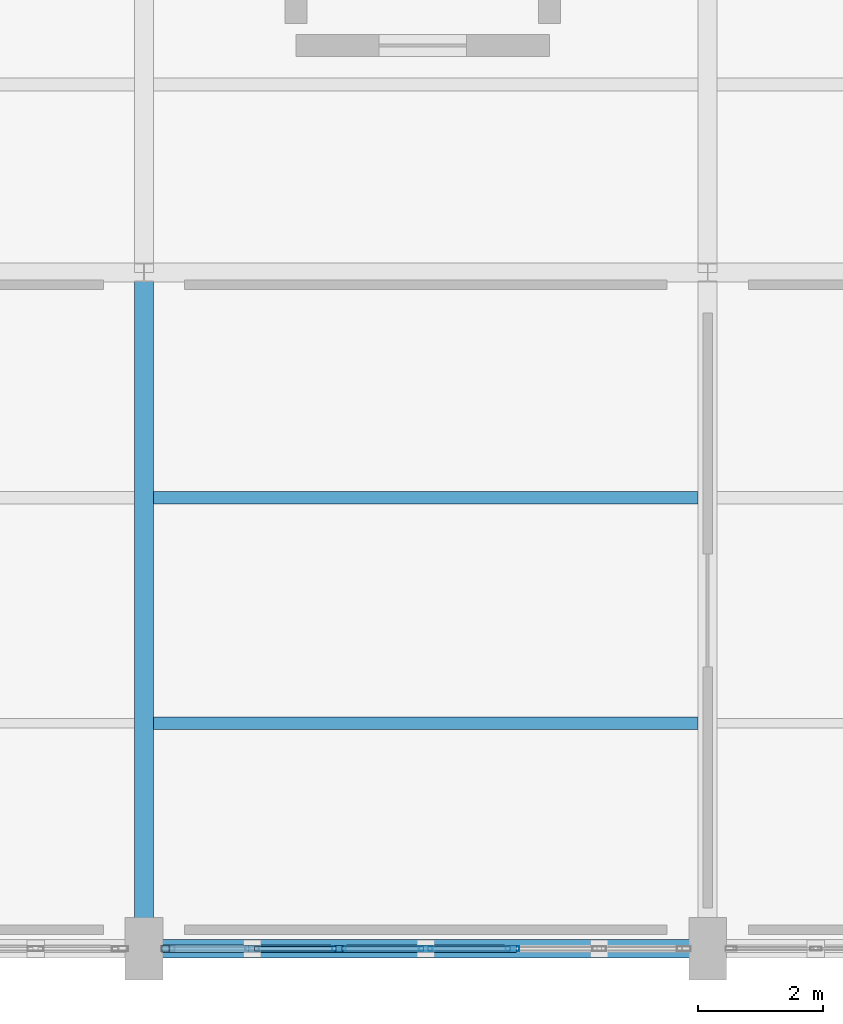
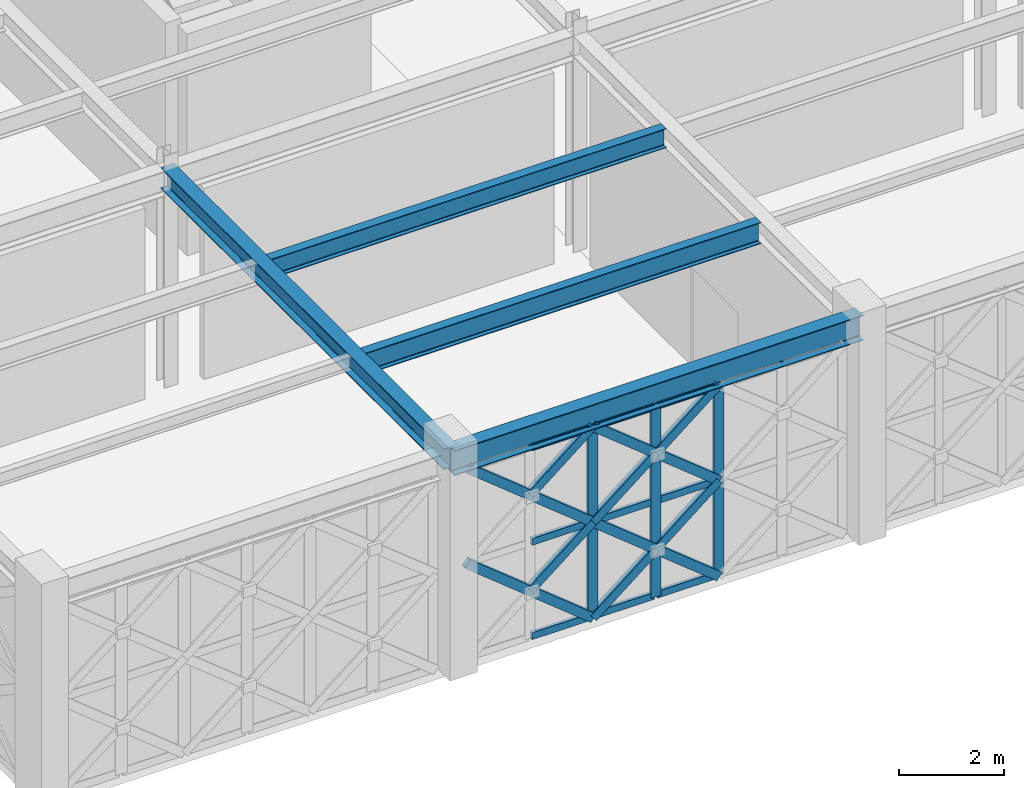
# One storey, part 34 of 155: 22 members, 4 beams, 1 element without a shape of its own.
"""IFC4 building model written with IfcOpenShell, lengths in metres."""

from ifc_helpers import new_model, si_unit, direction, frame, origin, origin_2d, place, context, subcontext, project, spatial, hollow_rectangle, i_section, extrude, material, material_profile, profile_set, type_object, element, aggregate, save


model = new_model("IFC4")

# Units and contexts
model_context = context("Model", 3, precision=1e-05, world=origin(), true_north=direction((0.0, 1.0)))
body_context = subcontext(model_context, "Body", "Model", "MODEL_VIEW")
ifc_project = project(units=[si_unit("LENGTHUNIT", "METRE"), si_unit("AREAUNIT", "SQUARE_METRE"), si_unit("VOLUMEUNIT", "CUBIC_METRE"), si_unit("PLANEANGLEUNIT", "RADIAN"), si_unit("MASSUNIT", "GRAM", prefix="KILO")], contexts=[model_context])

# Site, building, storey
site_placement = place(None, origin())
site = spatial("IfcSite", under=ifc_project, at=site_placement, CompositionType="ELEMENT")
building_placement = place(site_placement, origin())
building = spatial("IfcBuilding", under=site, at=building_placement, Name="Haizhuo Lancet Aquarium", CompositionType="ELEMENT")
storey_placement = place(building_placement, frame((0.0, 0.0, 10.800048828125)))
storey = spatial("IfcBuildingStorey", under=building, at=storey_placement, Name="L02", CompositionType="ELEMENT", Elevation=10.800048828125)

# Beams
ifc_material_1 = material(Name="Steel S355", Category="steel")
ifc_material_profile_1 = material_profile(ifc_material_1, i_section(OverallWidth=0.300048828125, OverallDepth=0.488037109375, WebThickness=0.010986328125, FlangeThickness=0.01806640625, FilletRadius=0.02392578125, at=origin_2d()), Name="HM 488x300x11x18")
ifc_profile_set_1 = profile_set([ifc_material_profile_1], Name="Steel S355")
beam_type_1 = type_object("IfcBeamType", Name="BM-ST-HM488", PredefinedType="BEAM", material=ifc_profile_set_1)
beam_1_placement = place(storey_placement, frame((-9.0, -55.800048828125, 4.805908203125), z_axis=(0.0, 1.0, 0.0), x_axis=(-1.0, 0.0, 0.0)))
element("IfcBeam", 1, at=beam_1_placement, inside=storey, type_object=beam_type_1, Name="L02 V4 primary girder BM-L02-V4-008", PredefinedType="BEAM", context=body_context, shape_type="SweptSolid", body=[
    extrude(i_section(OverallWidth=0.300048828125, OverallDepth=0.488037109375, WebThickness=0.010986328125, FlangeThickness=0.01806640625, FilletRadius=0.02392578125, at=origin_2d()), origin(), (0.0, 0.0, 1.0), 10.800048828125),
])
ifc_material_profile_2 = material_profile(ifc_material_1, i_section(OverallWidth=0.300048828125, OverallDepth=0.587890625, WebThickness=0.011962890625, FlangeThickness=0.02001953125, FilletRadius=0.02587890625, at=origin_2d()), Name="HM 588x300x12x20")
ifc_profile_set_2 = profile_set([ifc_material_profile_2], Name="Steel S355")
beam_type_2 = type_object("IfcBeamType", Name="BM-ST-HM588", PredefinedType="BEAM", material=ifc_profile_set_2)
beam_2_placement = place(storey_placement, frame((-9.0, -55.800048828125, 4.755859375), z_axis=(1.0, 0.0, 0.0), x_axis=(0.0, 1.0, 0.0)))
element("IfcBeam", 2, at=beam_2_placement, inside=storey, type_object=beam_type_2, Name="L02 V4 primary girder BM-L02-V4-009", PredefinedType="BEAM", context=body_context, shape_type="SweptSolid", body=[
    extrude(i_section(OverallWidth=0.300048828125, OverallDepth=0.587890625, WebThickness=0.011962890625, FlangeThickness=0.02001953125, FilletRadius=0.02587890625, at=origin_2d()), origin(), (0.0, 0.0, 1.0), 9.0),
])

# Curtain wall, members
ifc_material_2 = material(Name="Aluminium 6063-T6", Category="aluminium")
curtain_wall_type = type_object("IfcCurtainWallType", Name="CWO-8310x4460", PredefinedType="NOTDEFINED", material=ifc_material_2)
curtain_wall_placement = place(storey_placement, origin())
curtain_wall = element("IfcCurtainWall", 3, at=curtain_wall_placement, inside=storey, type_object=curtain_wall_type, Name="L02 curtain wall CW-V4-L02-110", PredefinedType="NOTDEFINED")
ifc_material_profile_3 = material_profile(ifc_material_2, hollow_rectangle(XDim=0.074951171875, YDim=0.219970703125, WallThickness=0.0048828125, at=origin_2d()), Name="ALU-M 75x220x5")
ifc_profile_set_3 = profile_set([ifc_material_profile_3], Name="Aluminium 6063-T6")
member_type_1 = type_object("IfcMemberType", Name="CW-MUL-2", PredefinedType="MULLION", material=ifc_profile_set_3)
member_1_placement = place(storey_placement, frame((-3.114990234375, -55.800048828125, 0.0), z_axis=(0.0, 0.0, 1.0), x_axis=(0.0, -1.0, 0.0)))
member_1 = element("IfcMember", 4, at=member_1_placement, type_object=member_type_1, Name="CWO-83x44 mullion 3", PredefinedType="MULLION", context=body_context, shape_type="SweptSolid", body=[
    extrude(hollow_rectangle(XDim=0.074951171875, YDim=0.219970703125, WallThickness=0.0048828125, at=origin_2d()), origin(), (0.0, 0.0, 1.0), 4.4619140625),
])
member_2_placement = place(storey_placement, frame((-4.5, -55.800048828125, 0.0), z_axis=(0.0, 0.0, 1.0), x_axis=(0.0, -1.0, 0.0)))
member_2 = element("IfcMember", 5, at=member_2_placement, type_object=member_type_1, Name="CWO-83x44 mullion 4", PredefinedType="MULLION", context=body_context, shape_type="SweptSolid", body=[
    extrude(hollow_rectangle(XDim=0.074951171875, YDim=0.219970703125, WallThickness=0.0048828125, at=origin_2d()), origin(), (0.0, 0.0, 1.0), 4.4619140625),
])
member_3_placement = place(storey_placement, frame((-5.885009765625, -55.800048828125, 0.0), z_axis=(0.0, 0.0, 1.0), x_axis=(0.0, -1.0, 0.0)))
member_3 = element("IfcMember", 6, at=member_3_placement, type_object=member_type_1, Name="CWO-83x44 mullion 5", PredefinedType="MULLION", context=body_context, shape_type="SweptSolid", body=[
    extrude(hollow_rectangle(XDim=0.074951171875, YDim=0.219970703125, WallThickness=0.0048828125, at=origin_2d()), origin(), (0.0, 0.0, 1.0), 4.4619140625),
])
ifc_material_profile_4 = material_profile(ifc_material_2, hollow_rectangle(XDim=0.074951171875, YDim=0.159912109375, WallThickness=0.00390625, at=origin_2d()), Name="ALU-T 75x160x4")
ifc_profile_set_4 = profile_set([ifc_material_profile_4], Name="Aluminium 6063-T6")
member_type_2 = type_object("IfcMemberType", Name="CW-TRN-2", PredefinedType="NOTDEFINED", material=ifc_profile_set_4)
member_4_placement = place(storey_placement, frame((-3.152099609375, -55.800048828125, 0.037841796875), z_axis=(-1.0, 0.0, 0.0), x_axis=(0.0, -1.0, 0.0)))
member_4 = element("IfcMember", 7, at=member_4_placement, type_object=member_type_2, Name="CWO-83x44 transom 3.1", ObjectType="TRANSOM", PredefinedType="USERDEFINED", context=body_context, shape_type="SweptSolid", body=[
    extrude(hollow_rectangle(XDim=0.074951171875, YDim=0.159912109375, WallThickness=0.00390625, at=origin_2d()), origin(), (0.0, 0.0, 1.0), 1.309814453125),
])
member_5_placement = place(storey_placement, frame((-3.152099609375, -55.800048828125, 2.23095703125), z_axis=(-1.0, 0.0, 0.0), x_axis=(0.0, -1.0, 0.0)))
member_5 = element("IfcMember", 8, at=member_5_placement, type_object=member_type_2, Name="CWO-83x44 transom 3.2", ObjectType="TRANSOM", PredefinedType="USERDEFINED", context=body_context, shape_type="SweptSolid", body=[
    extrude(hollow_rectangle(XDim=0.074951171875, YDim=0.159912109375, WallThickness=0.00390625, at=origin_2d()), origin(), (0.0, 0.0, 1.0), 1.309814453125),
])
member_6_placement = place(storey_placement, frame((-3.152099609375, -55.800048828125, 4.425048828125), z_axis=(-1.0, 0.0, 0.0), x_axis=(0.0, -1.0, 0.0)))
member_6 = element("IfcMember", 9, at=member_6_placement, type_object=member_type_2, Name="CWO-83x44 transom 3.3", ObjectType="TRANSOM", PredefinedType="USERDEFINED", context=body_context, shape_type="SweptSolid", body=[
    extrude(hollow_rectangle(XDim=0.074951171875, YDim=0.159912109375, WallThickness=0.00390625, at=origin_2d()), origin(), (0.0, 0.0, 1.0), 1.309814453125),
])
member_7_placement = place(storey_placement, frame((-4.537109375, -55.800048828125, 0.037841796875), z_axis=(-1.0, 0.0, 0.0), x_axis=(0.0, -1.0, 0.0)))
member_7 = element("IfcMember", 10, at=member_7_placement, type_object=member_type_2, Name="CWO-83x44 transom 4.1", ObjectType="TRANSOM", PredefinedType="USERDEFINED", context=body_context, shape_type="SweptSolid", body=[
    extrude(hollow_rectangle(XDim=0.074951171875, YDim=0.159912109375, WallThickness=0.00390625, at=origin_2d()), origin(), (0.0, 0.0, 1.0), 1.309814453125),
])
member_8_placement = place(storey_placement, frame((-4.537109375, -55.800048828125, 2.23095703125), z_axis=(-1.0, 0.0, 0.0), x_axis=(0.0, -1.0, 0.0)))
member_8 = element("IfcMember", 11, at=member_8_placement, type_object=member_type_2, Name="CWO-83x44 transom 4.2", ObjectType="TRANSOM", PredefinedType="USERDEFINED", context=body_context, shape_type="SweptSolid", body=[
    extrude(hollow_rectangle(XDim=0.074951171875, YDim=0.159912109375, WallThickness=0.00390625, at=origin_2d()), origin(), (0.0, 0.0, 1.0), 1.309814453125),
])
member_9_placement = place(storey_placement, frame((-4.537109375, -55.800048828125, 4.425048828125), z_axis=(-1.0, 0.0, 0.0), x_axis=(0.0, -1.0, 0.0)))
member_9 = element("IfcMember", 12, at=member_9_placement, type_object=member_type_2, Name="CWO-83x44 transom 4.3", ObjectType="TRANSOM", PredefinedType="USERDEFINED", context=body_context, shape_type="SweptSolid", body=[
    extrude(hollow_rectangle(XDim=0.074951171875, YDim=0.159912109375, WallThickness=0.00390625, at=origin_2d()), origin(), (0.0, 0.0, 1.0), 1.309814453125),
])
member_10_placement = place(storey_placement, frame((-5.922119140625, -55.800048828125, 0.037841796875), z_axis=(-1.0, 0.0, 0.0), x_axis=(0.0, -1.0, 0.0)))
member_10 = element("IfcMember", 13, at=member_10_placement, type_object=member_type_2, Name="CWO-83x44 transom 5.1", ObjectType="TRANSOM", PredefinedType="USERDEFINED", context=body_context, shape_type="SweptSolid", body=[
    extrude(hollow_rectangle(XDim=0.074951171875, YDim=0.159912109375, WallThickness=0.00390625, at=origin_2d()), origin(), (0.0, 0.0, 1.0), 1.309814453125),
])
member_11_placement = place(storey_placement, frame((-5.922119140625, -55.800048828125, 2.23095703125), z_axis=(-1.0, 0.0, 0.0), x_axis=(0.0, -1.0, 0.0)))
member_11 = element("IfcMember", 14, at=member_11_placement, type_object=member_type_2, Name="CWO-83x44 transom 5.2", ObjectType="TRANSOM", PredefinedType="USERDEFINED", context=body_context, shape_type="SweptSolid", body=[
    extrude(hollow_rectangle(XDim=0.074951171875, YDim=0.159912109375, WallThickness=0.00390625, at=origin_2d()), origin(), (0.0, 0.0, 1.0), 1.309814453125),
])
member_12_placement = place(storey_placement, frame((-5.922119140625, -55.800048828125, 4.425048828125), z_axis=(-1.0, 0.0, 0.0), x_axis=(0.0, -1.0, 0.0)))
member_12 = element("IfcMember", 15, at=member_12_placement, type_object=member_type_2, Name="CWO-83x44 transom 5.3", ObjectType="TRANSOM", PredefinedType="USERDEFINED", context=body_context, shape_type="SweptSolid", body=[
    extrude(hollow_rectangle(XDim=0.074951171875, YDim=0.159912109375, WallThickness=0.00390625, at=origin_2d()), origin(), (0.0, 0.0, 1.0), 1.309814453125),
])
aggregate(curtain_wall, [member_1, member_2, member_3, member_4, member_5, member_6, member_7, member_8, member_9, member_10, member_11, member_12])

# Beams
ifc_material_profile_5 = material_profile(ifc_material_1, i_section(OverallWidth=0.199951171875, OverallDepth=0.449951171875, WebThickness=0.009033203125, FlangeThickness=0.013916015625, FilletRadius=0.01806640625, at=origin_2d()), Name="HN 450x200x9x14")
ifc_profile_set_5 = profile_set([ifc_material_profile_5], Name="Steel S355")
beam_type_3 = type_object("IfcBeamType", Name="JST-ST-HN450", PredefinedType="JOIST", material=ifc_profile_set_5)
beam_3_placement = place(storey_placement, frame((-8.85009765625, -48.60009765625, 4.824951171875), z_axis=(1.0, 0.0, 0.0), x_axis=(0.0, 1.0, 0.0)))
element("IfcBeam", 16, at=beam_3_placement, inside=storey, type_object=beam_type_3, Name="L02 V4 secondary floor joist 8", PredefinedType="JOIST", context=body_context, shape_type="SweptSolid", body=[
    extrude(i_section(OverallWidth=0.199951171875, OverallDepth=0.449951171875, WebThickness=0.009033203125, FlangeThickness=0.013916015625, FilletRadius=0.01806640625, at=origin_2d()), origin(), (0.0, 0.0, 1.0), 8.7001953125),
])
ifc_material_profile_6 = material_profile(ifc_material_1, i_section(OverallWidth=0.199951171875, OverallDepth=0.5, WebThickness=0.010009765625, FlangeThickness=0.01611328125, FilletRadius=0.02001953125, at=origin_2d()), Name="HN 500x200x10x16")
ifc_profile_set_6 = profile_set([ifc_material_profile_6], Name="Steel S355")
beam_type_4 = type_object("IfcBeamType", Name="JST-ST-HN500", PredefinedType="JOIST", material=ifc_profile_set_6)
beam_4_placement = place(storey_placement, frame((-8.85009765625, -52.199951171875, 4.800048828125), z_axis=(1.0, 0.0, 0.0), x_axis=(0.0, 1.0, 0.0)))
element("IfcBeam", 17, at=beam_4_placement, inside=storey, type_object=beam_type_4, Name="L02 V4 secondary floor joist 7", PredefinedType="JOIST", context=body_context, shape_type="SweptSolid", body=[
    extrude(i_section(OverallWidth=0.199951171875, OverallDepth=0.5, WebThickness=0.010009765625, FlangeThickness=0.01611328125, FilletRadius=0.02001953125, at=origin_2d()), origin(), (0.0, 0.0, 1.0), 8.7001953125),
])

# Members
ifc_material_profile_7 = material_profile(ifc_material_1, hollow_rectangle(XDim=0.1201171875, YDim=0.199951171875, WallThickness=0.008056640625, at=origin_2d()), Name="RHS 120x200x8")
ifc_profile_set_7 = profile_set([ifc_material_profile_7], Name="Steel S355")
member_type_3 = type_object("IfcMemberType", Name="MEM-LB-RHS120x200", PredefinedType="BRACE", material=ifc_profile_set_7)
member_13_placement = place(storey_placement, frame((-3.114990234375, -55.800048828125, 0.0), z_axis=(-0.778815384678, 0.0, 0.627253215687), x_axis=(0.0, -1.0, 0.0)))
element("IfcMember", 18, at=member_13_placement, inside=storey, type_object=member_type_3, Name="Gothic lancet continuous diagonal brace CW-V4-L02-110 3A", PredefinedType="BRACE", context=body_context, shape_type="SweptSolid", body=[
    extrude(hollow_rectangle(XDim=0.1201171875, YDim=0.199951171875, WallThickness=0.008056640625, at=origin_2d()), origin(), (0.0, 0.0, 1.0), 3.556640625),
])
member_14_placement = place(storey_placement, frame((-5.885009765625, -55.800048828125, 0.0), z_axis=(0.77868125898, 0.0, 0.62741971352), x_axis=(0.0, 1.0, 0.0)))
element("IfcMember", 19, at=member_14_placement, inside=storey, type_object=member_type_3, Name="Gothic lancet split diagonal brace CW-V4-L02-110 3B1", PredefinedType="BRACE", context=body_context, shape_type="SweptSolid", body=[
    extrude(hollow_rectangle(XDim=0.1201171875, YDim=0.199951171875, WallThickness=0.008056640625, at=origin_2d()), origin(), (0.0, 0.0, 1.0), 1.778564453125),
])
member_15_placement = place(storey_placement, frame((-4.5, -55.800048828125, 1.115966796875), z_axis=(0.778949520963, 0.0, 0.627086631807), x_axis=(0.0, 1.0, 0.0)))
element("IfcMember", 20, at=member_15_placement, inside=storey, type_object=member_type_3, Name="Gothic lancet split diagonal brace CW-V4-L02-110 3B2", PredefinedType="BRACE", context=body_context, shape_type="SweptSolid", body=[
    extrude(hollow_rectangle(XDim=0.1201171875, YDim=0.199951171875, WallThickness=0.008056640625, at=origin_2d()), origin(), (0.0, 0.0, 1.0), 1.778076171875),
])
member_16_placement = place(storey_placement, frame((-3.114990234375, -55.800048828125, 2.23095703125), z_axis=(-0.778815384678, 0.0, 0.627253215687), x_axis=(0.0, -1.0, 0.0)))
element("IfcMember", 21, at=member_16_placement, inside=storey, type_object=member_type_3, Name="Gothic lancet continuous diagonal brace CW-V4-L02-110 4A", PredefinedType="BRACE", context=body_context, shape_type="SweptSolid", body=[
    extrude(hollow_rectangle(XDim=0.1201171875, YDim=0.199951171875, WallThickness=0.008056640625, at=origin_2d()), origin(), (0.0, 0.0, 1.0), 3.556640625),
])
member_17_placement = place(storey_placement, frame((-5.885009765625, -55.800048828125, 2.23095703125), z_axis=(0.778949520963, 0.0, 0.627086631807), x_axis=(0.0, 1.0, 0.0)))
element("IfcMember", 22, at=member_17_placement, inside=storey, type_object=member_type_3, Name="Gothic lancet split diagonal brace CW-V4-L02-110 4B1", PredefinedType="BRACE", context=body_context, shape_type="SweptSolid", body=[
    extrude(hollow_rectangle(XDim=0.1201171875, YDim=0.199951171875, WallThickness=0.008056640625, at=origin_2d()), origin(), (0.0, 0.0, 1.0), 1.778076171875),
])
member_18_placement = place(storey_placement, frame((-4.5, -55.800048828125, 3.345947265625), z_axis=(0.77868125898, 0.0, 0.62741971352), x_axis=(0.0, 1.0, 0.0)))
element("IfcMember", 23, at=member_18_placement, inside=storey, type_object=member_type_3, Name="Gothic lancet split diagonal brace CW-V4-L02-110 4B2", PredefinedType="BRACE", context=body_context, shape_type="SweptSolid", body=[
    extrude(hollow_rectangle(XDim=0.1201171875, YDim=0.199951171875, WallThickness=0.008056640625, at=origin_2d()), origin(), (0.0, 0.0, 1.0), 1.778564453125),
])
member_19_placement = place(storey_placement, frame((-5.885009765625, -55.800048828125, 0.0), z_axis=(-0.778815384678, 0.0, 0.627253215687), x_axis=(0.0, -1.0, 0.0)))
element("IfcMember", 24, at=member_19_placement, inside=storey, type_object=member_type_3, Name="Gothic lancet continuous diagonal brace CW-V4-L02-110 5A", PredefinedType="BRACE", context=body_context, shape_type="SweptSolid", body=[
    extrude(hollow_rectangle(XDim=0.1201171875, YDim=0.199951171875, WallThickness=0.008056640625, at=origin_2d()), origin(), (0.0, 0.0, 1.0), 3.556640625),
])
member_20_placement = place(storey_placement, frame((-7.27001953125, -55.800048828125, 1.115966796875), z_axis=(0.778949520963, 0.0, 0.627086631807), x_axis=(0.0, 1.0, 0.0)))
element("IfcMember", 25, at=member_20_placement, inside=storey, type_object=member_type_3, Name="Gothic lancet split diagonal brace CW-V4-L02-110 5B2", PredefinedType="BRACE", context=body_context, shape_type="SweptSolid", body=[
    extrude(hollow_rectangle(XDim=0.1201171875, YDim=0.199951171875, WallThickness=0.008056640625, at=origin_2d()), origin(), (0.0, 0.0, 1.0), 1.778076171875),
])
member_21_placement = place(storey_placement, frame((-5.885009765625, -55.800048828125, 2.23095703125), z_axis=(-0.778815384678, 0.0, 0.627253215687), x_axis=(0.0, -1.0, 0.0)))
element("IfcMember", 26, at=member_21_placement, inside=storey, type_object=member_type_3, Name="Gothic lancet continuous diagonal brace CW-V4-L02-110 6A", PredefinedType="BRACE", context=body_context, shape_type="SweptSolid", body=[
    extrude(hollow_rectangle(XDim=0.1201171875, YDim=0.199951171875, WallThickness=0.008056640625, at=origin_2d()), origin(), (0.0, 0.0, 1.0), 3.556640625),
])
member_22_placement = place(storey_placement, frame((-7.27001953125, -55.800048828125, 3.345947265625), z_axis=(0.77868125898, 0.0, 0.62741971352), x_axis=(0.0, 1.0, 0.0)))
element("IfcMember", 27, at=member_22_placement, inside=storey, type_object=member_type_3, Name="Gothic lancet split diagonal brace CW-V4-L02-110 6B2", PredefinedType="BRACE", context=body_context, shape_type="SweptSolid", body=[
    extrude(hollow_rectangle(XDim=0.1201171875, YDim=0.199951171875, WallThickness=0.008056640625, at=origin_2d()), origin(), (0.0, 0.0, 1.0), 1.778564453125),
])

save(model, "model.ifc")
